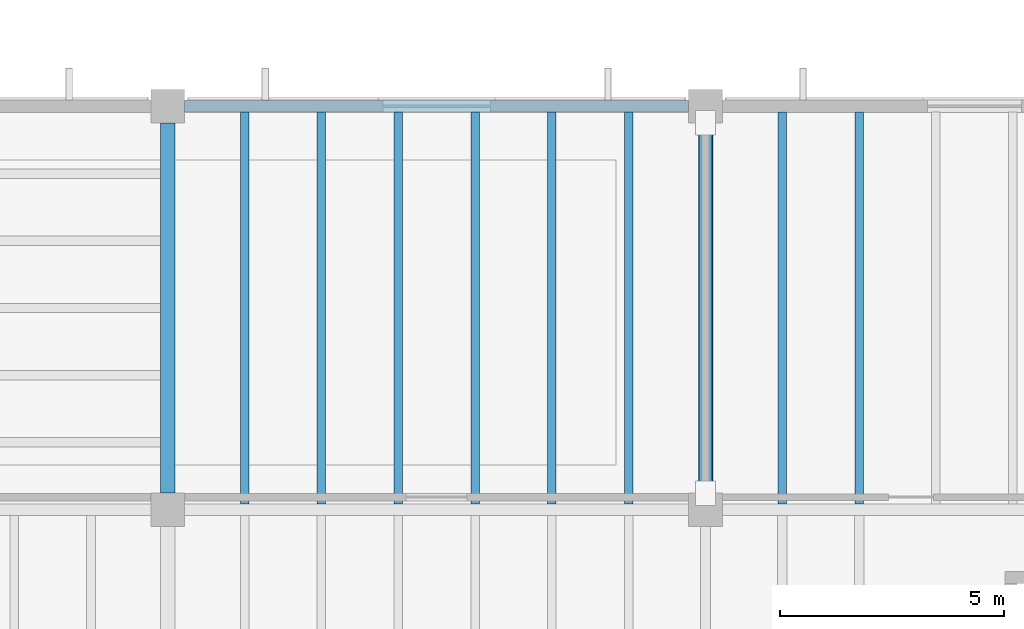
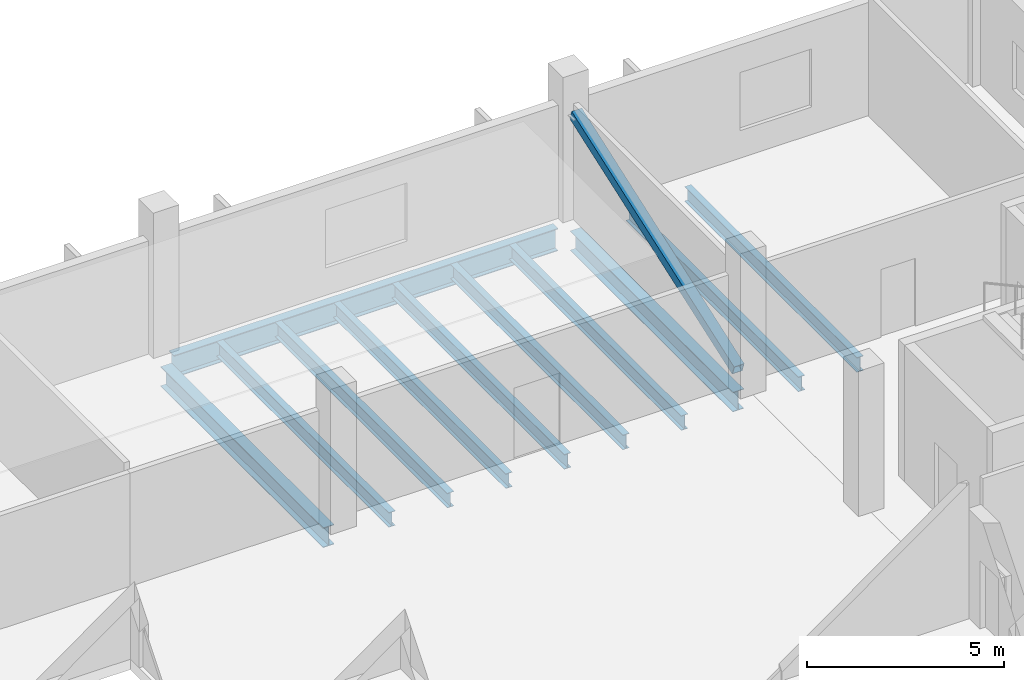
# One storey, part 70 of 114: 11 beams, 1 member.
"""IFC4 building model written with IfcOpenShell, lengths in metres."""

from ifc_helpers import new_model, si_unit, direction, frame, origin, origin_2d, place, context, subcontext, project, spatial, hollow_rectangle, i_section, extrude, material, material_profile, profile_set, type_object, element, save


model = new_model("IFC4")

# Units and contexts
model_context = context("Model", 3, precision=1e-05, world=origin(), true_north=direction((0.0, 1.0)))
body_context = subcontext(model_context, "Body", "Model", "MODEL_VIEW")
ifc_project = project(units=[si_unit("LENGTHUNIT", "METRE"), si_unit("AREAUNIT", "SQUARE_METRE"), si_unit("VOLUMEUNIT", "CUBIC_METRE"), si_unit("PLANEANGLEUNIT", "RADIAN"), si_unit("MASSUNIT", "GRAM", prefix="KILO")], contexts=[model_context])

# Site, building, storey
site_placement = place(None, origin())
site = spatial("IfcSite", under=ifc_project, at=site_placement, CompositionType="ELEMENT")
building_placement = place(site_placement, origin())
building = spatial("IfcBuilding", under=site, at=building_placement, Name="Kelmvaro Bay Concert Hall", CompositionType="ELEMENT")
storey_placement = place(building_placement, frame((0.0, 0.0, 4.800048828125)))
storey = spatial("IfcBuildingStorey", under=building, at=storey_placement, Name="L01", CompositionType="ELEMENT", Elevation=4.800048828125)

# Beams
ifc_material_1 = material(Name="Steel ASTM A992 Grade 50", Category="steel")
ifc_material_profile_1 = material_profile(ifc_material_1, i_section(OverallWidth=0.323974609375, OverallDepth=0.611083984375, WebThickness=0.0126953125, FlangeThickness=0.01904296875, at=origin_2d()), Name="W24X104")
ifc_profile_set_1 = profile_set([ifc_material_profile_1], Name="Steel ASTM A992 Grade 50")
beam_type_1 = type_object("IfcBeamType", Name="Foyer Frame Girder W24x104", PredefinedType="BEAM", material=ifc_profile_set_1)
for number, where, z_axis, x_axis, name in (
    (1, (144.0, 30.375, -0.62548828125), (0.0, 1.0, 0.0), (-1.0, 0.0, 0.0), "L01 Girder BM-L01-NS-0204"),
    (2, (156.0, 30.375, -0.62548828125), (0.0, 1.0, 0.0), (-1.0, 0.0, 0.0), "L01 Girder BM-L01-NS-0209"),
):
    element("IfcBeam", number, at=place(storey_placement, frame(where, z_axis=z_axis, x_axis=x_axis)), inside=storey, type_object=beam_type_1, Name=name, PredefinedType="BEAM", context=body_context, shape_type="SweptSolid", body=[
        extrude(i_section(OverallWidth=0.323974609375, OverallDepth=0.611083984375, WebThickness=0.0126953125, FlangeThickness=0.01904296875, at=origin_2d()), origin(), (0.0, 0.0, 1.0), 8.25),
    ])
ifc_material_2 = material(Name="Steel ASTM A992 Grade 50", Category="steel")
ifc_material_profile_2 = material_profile(ifc_material_2, i_section(OverallWidth=0.256103515625, OverallDepth=0.693115234375, WebThickness=0.014404296875, FlangeThickness=0.023681640625, at=origin_2d()), Name="W27X114")
ifc_profile_set_2 = profile_set([ifc_material_profile_2], Name="Steel ASTM A992 Grade 50")
beam_type_2 = type_object("IfcBeamType", Name="Foyer Primary Girder W27x114", PredefinedType="BEAM", material=ifc_profile_set_2)
beam_placement = place(storey_placement, frame((144.375, 39.0, -0.66650390625), z_axis=(1.0, 0.0, 0.0), x_axis=(0.0, 1.0, 0.0)))
element("IfcBeam", 3, at=beam_placement, inside=storey, type_object=beam_type_2, Name="L01 Girder BM-L01-EW-0056", PredefinedType="BEAM", context=body_context, shape_type="SweptSolid", body=[
    extrude(i_section(OverallWidth=0.256103515625, OverallDepth=0.693115234375, WebThickness=0.014404296875, FlangeThickness=0.023681640625, at=origin_2d()), origin(), (0.0, 0.0, 1.0), 11.25),
])

# Member
ifc_material_3 = material(Name="Steel ASTM A500 Grade C", Category="steel")
ifc_material_profile_3 = material_profile(ifc_material_3, hollow_rectangle(XDim=0.300048828125, YDim=0.300048828125, WallThickness=0.012451171875, at=origin_2d()), Name="HSS300X300X12")
ifc_profile_set_3 = profile_set([ifc_material_profile_3], Name="Steel ASTM A500 Grade C")
member_type = type_object("IfcMemberType", Name="Lateral Wind Brace HSS300x300x12", PredefinedType="BRACE", material=ifc_profile_set_3)
member_placement = place(storey_placement, frame((156.0, 30.376953125, 0.3505859375), z_axis=(0.0, 0.942691617202, 0.333665273675), x_axis=(-1.0, 0.0, 0.0)))
element("IfcMember", 4, at=member_placement, inside=storey, type_object=member_type, Name="L01 Lateral Diagonal Brace V4-E", PredefinedType="BRACE", context=body_context, shape_type="SweptSolid", body=[
    extrude(hollow_rectangle(XDim=0.300048828125, YDim=0.300048828125, WallThickness=0.012451171875, at=origin_2d()), origin(), (0.0, 0.0, 1.0), 8.747314453125),
])

# Beams
ifc_material_4 = material(Name="Steel ASTM A992 Grade 50", Category="steel")
ifc_material_profile_4 = material_profile(ifc_material_4, i_section(OverallWidth=0.19091796875, OverallDepth=0.45703125, WebThickness=0.009033203125, FlangeThickness=0.014404296875, at=origin_2d()), Name="W18X50")
ifc_profile_set_4 = profile_set([ifc_material_profile_4], Name="Steel ASTM A992 Grade 50")
beam_type_3 = type_object("IfcBeamType", Name="Standard Composite Floor Joist W18x50", PredefinedType="JOIST", material=ifc_profile_set_4)
for number, where, z_axis, x_axis, name in (
    (5, (145.71435546875, 30.1279296875, -0.548583984375), (0.0, 1.0, 0.0), (-1.0, 0.0, 0.0), "L01 Floor Joist JST-L01-0410"),
    (6, (147.4287109375, 30.1279296875, -0.548583984375), (0.0, 1.0, 0.0), (-1.0, 0.0, 0.0), "L01 Floor Joist JST-L01-0411"),
    (7, (149.142822265625, 30.1279296875, -0.548583984375), (0.0, 1.0, 0.0), (-1.0, 0.0, 0.0), "L01 Floor Joist JST-L01-0412"),
    (8, (150.857177734375, 30.1279296875, -0.548583984375), (0.0, 1.0, 0.0), (-1.0, 0.0, 0.0), "L01 Floor Joist JST-L01-0413"),
    (9, (152.5712890625, 30.1279296875, -0.548583984375), (0.0, 1.0, 0.0), (-1.0, 0.0, 0.0), "L01 Floor Joist JST-L01-0414"),
    (10, (154.28564453125, 30.1279296875, -0.548583984375), (0.0, 1.0, 0.0), (-1.0, 0.0, 0.0), "L01 Floor Joist JST-L01-0415"),
    (11, (157.71435546875, 30.1279296875, -0.548583984375), (0.0, 1.0, 0.0), (-1.0, 0.0, 0.0), "L01 Floor Joist JST-L01-0416"),
    (12, (159.4287109375, 30.1279296875, -0.548583984375), (0.0, 1.0, 0.0), (-1.0, 0.0, 0.0), "L01 Floor Joist JST-L01-0417"),
):
    element("IfcBeam", number, at=place(storey_placement, frame(where, z_axis=z_axis, x_axis=x_axis)), inside=storey, type_object=beam_type_3, Name=name, PredefinedType="JOIST", context=body_context, shape_type="SweptSolid", body=[
        extrude(i_section(OverallWidth=0.19091796875, OverallDepth=0.45703125, WebThickness=0.009033203125, FlangeThickness=0.014404296875, at=origin_2d()), origin(), (0.0, 0.0, 1.0), 8.744140625),
    ])

save(model, "model.ifc")
